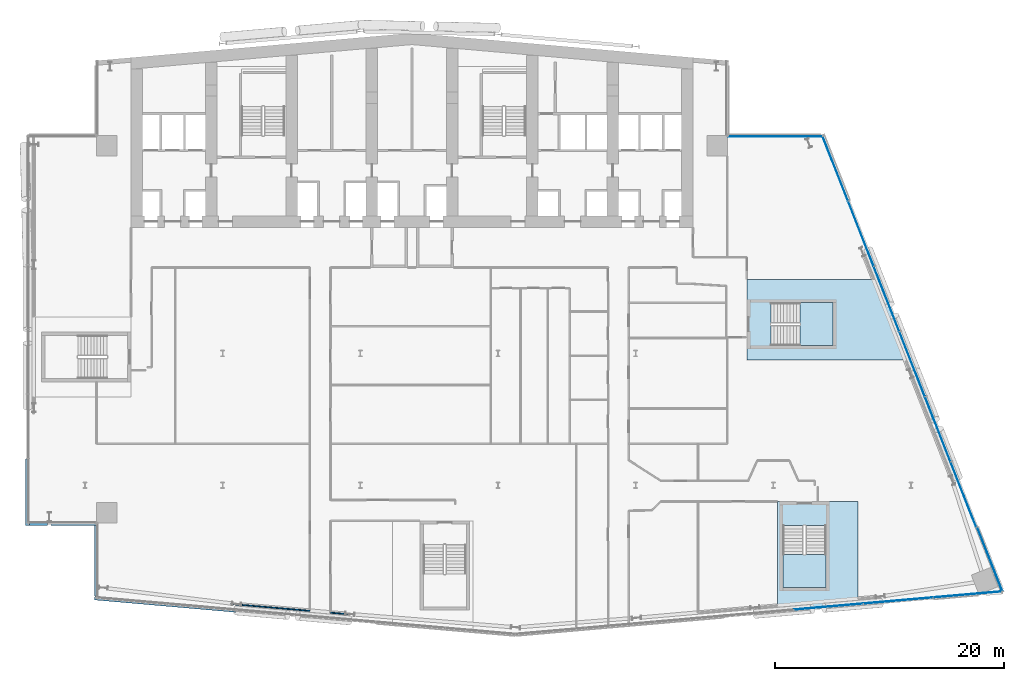
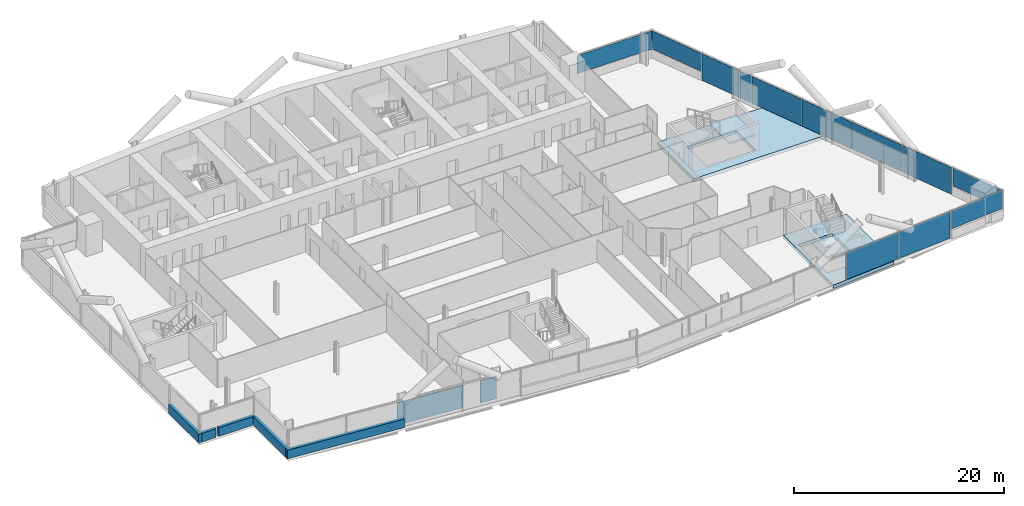
# One storey, part 13 of 26: 11 plates, 7 walls, 4 slabs, 5 elements without a shape of their own.
"""IFC4 building model written with IfcOpenShell, lengths in metres."""

import ifcopenshell
import ifcopenshell.guid

model = None  # the IFC model being written
_history = None  # IfcOwnerHistory: only IFC2X3 demands one
_inside = {}  # id of a spatial element -> (the spatial element, [elements in it])
_under = {}  # id of a project, library or spatial element -> (it, [spatial elements below it])
_declared = {}  # id of a project -> (the project, [libraries it declares])
_typed = {}  # id of a type object -> (the type object, [elements of that type])
_made_of = {}  # id of a material, layer set ... -> (it, [elements and type objects made of it])


def new_model(schema):
    """Start an empty IFC model of exactly this schema.

    Asked for "IFC4X3", IfcOpenShell would pick the latest addendum, in which some entities
    have other attributes; the version numbers below select the first issue.
    IFC2X3 requires an IfcOwnerHistory on every rooted entity: one is made here for all.
    """
    global model, _history
    if schema == "IFC4X3":
        model = ifcopenshell.file(schema_version=(4, 3, 0, 0))
    else:
        model = ifcopenshell.file(schema=schema)
    _inside.clear()
    _under.clear()
    _declared.clear()
    _typed.clear()
    _made_of.clear()
    _history = None
    if model.schema == "IFC2X3":
        org = make("IfcOrganization", Name="unknown")
        user = make(
            "IfcPersonAndOrganization",
            ThePerson=make("IfcPerson", FamilyName="unknown"),
            TheOrganization=org,
        )
        app = make(
            "IfcApplication",
            ApplicationDeveloper=org,
            Version="unknown",
            ApplicationFullName="unknown",
            ApplicationIdentifier="unknown",
        )
        _history = make(
            "IfcOwnerHistory",
            OwningUser=user,
            OwningApplication=app,
            ChangeAction="ADDED",
            CreationDate=0,
        )
    return model


def make(cls, **values):
    """One entity of the class cls with the attributes given. An attribute that is None is left unset."""
    return model.create_entity(
        cls, **{name: value for name, value in values.items() if value is not None}
    )


def rooted(cls, **values):
    """An entity with a GlobalId (a new one), such as an element, a storey or a relation."""
    return make(cls, GlobalId=ifcopenshell.guid.new(), OwnerHistory=_history, **values)


def si_unit(unit_type, name, prefix=None):
    """IfcSIUnit, for example si_unit("LENGTHUNIT", "METRE", prefix="MILLI")."""
    return make("IfcSIUnit", UnitType=unit_type, Prefix=prefix, Name=name)


def assignment(units):
    """IfcUnitAssignment: the units of a project."""
    return None if units is None else make("IfcUnitAssignment", Units=units)


def point(xyz):
    """IfcCartesianPoint."""
    return None if xyz is None else make("IfcCartesianPoint", Coordinates=xyz)


def direction(xyz):
    """IfcDirection."""
    return None if xyz is None else make("IfcDirection", DirectionRatios=xyz)


def frame(location, z_axis=None, x_axis=None):
    """IfcAxis2Placement3D, a coordinate frame: its origin and axes. An axis left out is left unset."""
    return make(
        "IfcAxis2Placement3D",
        Location=point(location),
        Axis=direction(z_axis),
        RefDirection=direction(x_axis),
    )


def frame_2d(location, x_axis=None):
    """IfcAxis2Placement2D, a coordinate frame in the plane: its origin and x axis."""
    return make(
        "IfcAxis2Placement2D", Location=point(location), RefDirection=direction(x_axis)
    )


def origin():
    """The frame at (0, 0, 0) with its axes left unset."""
    return frame((0.0, 0.0, 0.0))


def origin_2d():
    """The frame at (0, 0) in the plane with its x axis left unset."""
    return frame_2d((0.0, 0.0))


def place(relative_to, where):
    """IfcLocalPlacement: puts the frame where relative to a parent placement (None: the world)."""
    return make(
        "IfcLocalPlacement", PlacementRelTo=relative_to, RelativePlacement=where
    )


def context(
    kind, dimensions, precision=None, world=None, true_north=None, identifier=None
):
    """IfcGeometricRepresentationContext, for example the 3D "Model" context."""
    return make(
        "IfcGeometricRepresentationContext",
        ContextIdentifier=identifier,
        ContextType=kind,
        CoordinateSpaceDimension=dimensions,
        Precision=precision,
        WorldCoordinateSystem=world,
        TrueNorth=true_north,
    )


def subcontext(parent, identifier, kind, view, scale=None):
    """IfcGeometricRepresentationSubContext, for example "Body" below "Model"."""
    return make(
        "IfcGeometricRepresentationSubContext",
        ContextIdentifier=identifier,
        ContextType=kind,
        ParentContext=parent,
        TargetScale=scale,
        TargetView=view,
    )


def project(units=None, contexts=None):
    """IfcProject with its units and contexts."""
    return rooted(
        "IfcProject",
        Name="project",
        RepresentationContexts=contexts,
        UnitsInContext=assignment(units),
    )


def spatial(cls, under=None, at=None, **own):
    """A site, building, storey or space (cls), placed at a placement, below another one or the project."""
    s = rooted(cls, ObjectPlacement=at, **own)
    if under is not None:
        _under.setdefault(under.id(), (under, []))[1].append(s)
    return s


def polyline(points):
    """IfcPolyline through the points."""
    return make("IfcPolyline", Points=[point(p) for p in points])


def profile(cls, at=None, kind="AREA", **sizes):
    """A parametric profile (cls). Its sizes go by their IFC names, for example OverallWidth=200.0."""
    return make(cls, ProfileType=kind, Position=at, **sizes)


def rectangle(**sizes):
    """IfcRectangleProfileDef."""
    return profile("IfcRectangleProfileDef", **sizes)


def outline(outer, holes=None, kind="AREA"):
    """IfcArbitraryClosedProfileDef: a profile drawn as a closed curve; with holes, ...WithVoids."""
    if holes is None:
        return make("IfcArbitraryClosedProfileDef", ProfileType=kind, OuterCurve=outer)
    return make(
        "IfcArbitraryProfileDefWithVoids",
        ProfileType=kind,
        OuterCurve=outer,
        InnerCurves=holes,
    )


def extrude(swept, where, along, depth):
    """IfcExtrudedAreaSolid: the profile swept, set in the frame where, extruded along a direction by depth."""
    return make(
        "IfcExtrudedAreaSolid",
        SweptArea=swept,
        Position=where,
        ExtrudedDirection=direction(along),
        Depth=depth,
    )


def shape(context_of_items, identifier, shape_type, items):
    """IfcShapeRepresentation: the items that make up one representation, for example the "Body"."""
    return make(
        "IfcShapeRepresentation",
        ContextOfItems=context_of_items,
        RepresentationIdentifier=identifier,
        RepresentationType=shape_type,
        Items=items,
    )


def material(Name=None, Category=None):
    """IfcMaterial."""
    return make("IfcMaterial", Name=Name, Category=Category)


def layer(
    of_material, thickness, ventilated=None, Name=None, Category=None, Priority=None
):
    """IfcMaterialLayer: one layer of a wall or slab, of a material (None: an air gap)."""
    return make(
        "IfcMaterialLayer",
        Material=of_material,
        LayerThickness=thickness,
        IsVentilated=ventilated,
        Name=Name,
        Category=Category,
        Priority=Priority,
    )


def layer_set(layers, Name=None):
    """IfcMaterialLayerSet."""
    return make("IfcMaterialLayerSet", MaterialLayers=layers, LayerSetName=Name)


def made_of(thing, what):
    """Note that an element or type object is made of a material, layer set ...; save() writes the relation."""
    if what is not None:
        _made_of.setdefault(what.id(), (what, []))[1].append(thing)
    return thing


def type_object(cls, material=None, **own):
    """A type object (cls), such as IfcWallType, which elements share."""
    return made_of(rooted(cls, **own), material)


def element(
    cls,
    number,
    at=None,
    inside=None,
    cuts=None,
    type_object=None,
    material=None,
    context=None,
    identifier="Body",
    shape_type=None,
    held_by="IfcProductDefinitionShape",
    body=None,
    shapes=None,
    **own,
):
    """One element of the class cls, such as IfcWall. Its Tag is "e" and its number.

    at: its placement. inside: the storey or other place that contains it. cuts: it is an
    opening in that element (IfcRelVoidsElement). A single representation is given by context,
    identifier, shape_type and body (its items); several are given by shapes. held_by: the class
    of the entity that holds the representations. save() writes the other relations.
    """
    e = rooted(cls, Tag="e%d" % number, ObjectPlacement=at, **own)
    if body is not None:
        shapes = [shape(context, identifier, shape_type, body)]
    if shapes is not None:
        e.Representation = make(held_by, Representations=shapes)
    if inside is not None:
        _inside.setdefault(inside.id(), (inside, []))[1].append(e)
    if cuts is not None:
        rooted(
            "IfcRelVoidsElement", RelatingBuildingElement=cuts, RelatedOpeningElement=e
        )
    if type_object is not None:
        _typed.setdefault(type_object.id(), (type_object, []))[1].append(e)
    return made_of(e, material)


def aggregate(whole, parts):
    """IfcRelAggregates: a whole, such as a stair, and the parts it consists of."""
    return rooted("IfcRelAggregates", RelatingObject=whole, RelatedObjects=parts)


def save(model, path):
    """Write the relations noted so far, then the file.

    IfcRelAggregates (storeys below a building ...), IfcRelContainedInSpatialStructure (elements
    in a storey), IfcRelDefinesByType, IfcRelAssociatesMaterial and IfcRelDeclares: one each for
    every whole, place, type object, material and project.
    """
    for whole, parts in _under.values():
        aggregate(whole, parts)
    for where, things in _inside.values():
        rooted(
            "IfcRelContainedInSpatialStructure",
            RelatedElements=things,
            RelatingStructure=where,
        )
    for kind, things in _typed.values():
        rooted("IfcRelDefinesByType", RelatedObjects=things, RelatingType=kind)
    for what, things in _made_of.values():
        rooted("IfcRelAssociatesMaterial", RelatedObjects=things, RelatingMaterial=what)
    for by, libraries in _declared.values():
        rooted("IfcRelDeclares", RelatingContext=by, RelatedDefinitions=libraries)
    model.write(path)


model = new_model("IFC4")

# Units and contexts
model_context = context("Model", 3, precision=1e-05, world=origin(), true_north=direction((0.0, 1.0)))
body_context = subcontext(model_context, "Body", "Model", "MODEL_VIEW")
ifc_project = project(units=[si_unit("LENGTHUNIT", "METRE"), si_unit("AREAUNIT", "SQUARE_METRE"), si_unit("VOLUMEUNIT", "CUBIC_METRE"), si_unit("PLANEANGLEUNIT", "RADIAN"), si_unit("MASSUNIT", "GRAM", prefix="KILO")], contexts=[model_context])

# Site, building, storey
site_placement = place(None, origin())
site = spatial("IfcSite", under=ifc_project, at=site_placement, CompositionType="ELEMENT")
building_placement = place(site_placement, origin())
building = spatial("IfcBuilding", under=site, at=building_placement, Name="Wharfspan Tower", CompositionType="ELEMENT")
storey_placement = place(building_placement, frame((0.0, 0.0, 114.699951)))
storey = spatial("IfcBuildingStorey", under=building, at=storey_placement, Name="L26", CompositionType="ELEMENT", Elevation=114.699951)

# Curtain wall, plate
ifc_material_1 = material(Name="Aluminium 6063-T6", Category="aluminium")
curtain_wall_type_1 = type_object("IfcCurtainWallType", Name="CURTAIN WALL FACETED FRONT", PredefinedType="NOTDEFINED", material=ifc_material_1)
curtain_wall_1_placement = place(storey_placement, origin())
curtain_wall_1 = element("IfcCurtainWall", 1, at=curtain_wall_1_placement, inside=storey, type_object=curtain_wall_type_1, Name="Curtain wall S2", PredefinedType="NOTDEFINED")
ifc_material_2 = material(Name="Glass clear low-iron double glazing", Category="glass")
ifc_layer_1 = layer(ifc_material_2, 0.040039)
ifc_layer_set_1 = layer_set([ifc_layer_1], Name="Glass clear low-iron double glazing")
plate_type_1 = type_object("IfcPlateType", Name="GLASS PANEL FACETED FRONT 40", PredefinedType="CURTAIN_PANEL", material=ifc_layer_set_1)
plate_1_placement = place(storey_placement, frame((88.944092, 1.99292, 1.0), z_axis=(0.0, 0.0, 1.0), x_axis=(0.996198, 0.087156, 0.0)))
plate_1 = element("IfcPlate", 2, at=plate_1_placement, type_object=plate_type_1, Name="Curtain wall S2 panel 7", PredefinedType="CURTAIN_PANEL", context=body_context, shape_type="SweptSolid", body=[
    extrude(rectangle(XDim=6.004639, YDim=0.040039, at=origin_2d()), origin(), (0.0, 0.0, 1.0), 2.120117),
])

# Curtain wall, plates
curtain_wall_type_2 = type_object("IfcCurtainWallType", Name="CURTAIN WALL PROW AND END", PredefinedType="NOTDEFINED", material=ifc_material_1)
curtain_wall_2_placement = place(storey_placement, origin())
curtain_wall_2 = element("IfcCurtainWall", 3, at=curtain_wall_2_placement, inside=storey, type_object=curtain_wall_type_2, Name="Curtain wall E", PredefinedType="NOTDEFINED")
ifc_layer_2 = layer(ifc_material_2, 0.040039)
ifc_layer_set_2 = layer_set([ifc_layer_2], Name="Glass clear low-iron double glazing")
plate_type_2 = type_object("IfcPlateType", Name="GLASS PANEL PROW AND END 40", PredefinedType="CURTAIN_PANEL", material=ifc_layer_set_2)
plate_2_placement = place(storey_placement, frame((90.877197, 5.056885, 1.0), z_axis=(0.0, 0.0, 1.0), x_axis=(-0.365778, 0.930702, 0.0)))
plate_2 = element("IfcPlate", 4, at=plate_2_placement, type_object=plate_type_2, Name="Curtain wall E panel 1", PredefinedType="CURTAIN_PANEL", context=body_context, shape_type="SweptSolid", body=[
    extrude(rectangle(XDim=6.019043, YDim=0.040039, at=origin_2d()), origin(), (0.0, 0.0, 1.0), 2.120117),
])
plate_3_placement = place(storey_placement, frame((77.406494, 39.114014, 1.0), z_axis=(0.0, 0.0, 1.0), x_axis=(-0.365778, 0.930702, 0.0)))
plate_3 = element("IfcPlate", 5, at=plate_3_placement, type_object=plate_type_2, Name="Curtain wall E panel 7", PredefinedType="CURTAIN_PANEL", context=body_context, shape_type="SweptSolid", body=[
    extrude(rectangle(XDim=6.019043, YDim=0.040039, at=origin_2d()), origin(), (0.0, 0.0, 1.0), 2.120117),
])

# Curtain wall, plate
curtain_wall_3_placement = place(storey_placement, origin())
curtain_wall_3 = element("IfcCurtainWall", 6, at=curtain_wall_3_placement, inside=storey, type_object=curtain_wall_type_2, Name="Curtain wall NRE-H", PredefinedType="NOTDEFINED")
plate_4_placement = place(storey_placement, frame((72.178955, 41.919922, 1.0), z_axis=(0.0, 0.0, 1.0), x_axis=(-1.0, 0.0, 0.0)))
plate_4 = element("IfcPlate", 7, at=plate_4_placement, type_object=plate_type_2, Name="Curtain wall NRE-H panel 1", PredefinedType="CURTAIN_PANEL", context=body_context, shape_type="SweptSolid", body=[
    extrude(rectangle(XDim=8.238037, YDim=0.040039, at=origin_2d()), origin(), (0.0, 0.0, 1.0), 2.120117),
])
aggregate(curtain_wall_3, [plate_4])

# Plate
ifc_material_3 = material(Name="Aluminium composite opaque insulated panel", Category="aluminium")
ifc_layer_3 = layer(ifc_material_3, 0.040039)
ifc_layer_set_3 = layer_set([ifc_layer_3], Name="Aluminium composite opaque insulated panel")
plate_type_3 = type_object("IfcPlateType", Name="INFILL PANEL FACETED FRONT OPAQUE 40", PredefinedType="SHEET", material=ifc_layer_set_3)
plate_5_placement = place(storey_placement, frame((76.816162, 0.931885, 0.0), z_axis=(0.0, 0.0, 1.0), x_axis=(0.996198, 0.087156, 0.0)))
plate_5 = element("IfcPlate", 8, at=plate_5_placement, type_object=plate_type_3, Name="Curtain wall S2 panel 5", PredefinedType="SHEET", context=body_context, shape_type="SweptSolid", body=[
    extrude(rectangle(XDim=6.034668, YDim=0.040039, at=origin_2d()), origin(), (0.0, 0.0, 1.0), 3.120117),
])

plate_6_placement = place(storey_placement, frame((82.887695, 1.462891, 0.0), z_axis=(0.0, 0.0, 1.0), x_axis=(0.996198, 0.087156, 0.0)))
plate_6 = element("IfcPlate", 9, at=plate_6_placement, type_object=plate_type_3, Name="Curtain wall S2 panel 6", PredefinedType="SHEET", context=body_context, shape_type="SweptSolid", body=[
    extrude(rectangle(XDim=6.034668, YDim=0.040039, at=origin_2d()), origin(), (0.0, 0.0, 1.0), 3.120117),
])

aggregate(curtain_wall_1, [plate_5, plate_6, plate_1])

ifc_layer_4 = layer(ifc_material_3, 0.040039)
ifc_layer_set_4 = layer_set([ifc_layer_4], Name="Aluminium composite opaque insulated panel")
plate_type_4 = type_object("IfcPlateType", Name="INFILL PANEL PROW AND END OPAQUE 40", PredefinedType="SHEET", material=ifc_layer_set_4)
plate_7_placement = place(storey_placement, frame((88.57373, 10.699219, 0.0), z_axis=(0.0, 0.0, 1.0), x_axis=(-0.365778, 0.930702, 0.0)))
plate_7 = element("IfcPlate", 10, at=plate_7_placement, type_object=plate_type_4, Name="Curtain wall E panel 2", PredefinedType="SHEET", context=body_context, shape_type="SweptSolid", body=[
    extrude(rectangle(XDim=6.049072, YDim=0.040039, at=origin_2d()), origin(), (0.0, 0.0, 1.0), 3.120117),
])

plate_8_placement = place(storey_placement, frame((86.339111, 16.38501, 0.0), z_axis=(0.0, 0.0, 1.0), x_axis=(-0.365778, 0.930702, 0.0)))
plate_8 = element("IfcPlate", 11, at=plate_8_placement, type_object=plate_type_4, Name="Curtain wall E panel 3", PredefinedType="SHEET", context=body_context, shape_type="SweptSolid", body=[
    extrude(rectangle(XDim=6.049072, YDim=0.040039, at=origin_2d()), origin(), (0.0, 0.0, 1.0), 3.120117),
])

plate_9_placement = place(storey_placement, frame((84.104492, 22.070801, 0.0), z_axis=(0.0, 0.0, 1.0), x_axis=(-0.365778, 0.930702, 0.0)))
plate_9 = element("IfcPlate", 12, at=plate_9_placement, type_object=plate_type_4, Name="Curtain wall E panel 4", PredefinedType="SHEET", context=body_context, shape_type="SweptSolid", body=[
    extrude(rectangle(XDim=6.049072, YDim=0.040039, at=origin_2d()), origin(), (0.0, 0.0, 1.0), 3.120117),
])

plate_10_placement = place(storey_placement, frame((81.870117, 27.756348, 0.0), z_axis=(0.0, 0.0, 1.0), x_axis=(-0.365778, 0.930702, 0.0)))
plate_10 = element("IfcPlate", 13, at=plate_10_placement, type_object=plate_type_4, Name="Curtain wall E panel 5", PredefinedType="SHEET", context=body_context, shape_type="SweptSolid", body=[
    extrude(rectangle(XDim=6.049072, YDim=0.040039, at=origin_2d()), origin(), (0.0, 0.0, 1.0), 3.120117),
])

plate_11_placement = place(storey_placement, frame((79.635498, 33.442139, 0.0), z_axis=(0.0, 0.0, 1.0), x_axis=(-0.365778, 0.930702, 0.0)))
plate_11 = element("IfcPlate", 14, at=plate_11_placement, type_object=plate_type_4, Name="Curtain wall E panel 6", PredefinedType="SHEET", context=body_context, shape_type="SweptSolid", body=[
    extrude(rectangle(XDim=6.049072, YDim=0.040039, at=origin_2d()), origin(), (0.0, 0.0, 1.0), 3.120117),
])

aggregate(curtain_wall_2, [plate_2, plate_7, plate_8, plate_9, plate_10, plate_11, plate_3])

# Slabs
ifc_material_4 = material(Name="Concrete C40/50", Category="concrete")
ifc_layer_5 = layer(ifc_material_4, 0.399902)
ifc_layer_set_5 = layer_set([ifc_layer_5], Name="Concrete C40/50")
slab_type_1 = type_object("IfcSlabType", Name="Post-tensioned flat slab 400", PredefinedType="FLOOR", material=ifc_layer_set_5)
slab_1_placement = place(storey_placement, frame((0.0, 0.0, -0.400146)))
element("IfcSlab", 15, at=slab_1_placement, inside=storey, type_object=slab_type_1, Name="Core floor slab L26 part 5", PredefinedType="FLOOR", context=body_context, shape_type="SweptSolid", body=[
    extrude(outline(polyline([(79.365967, 10.094727), (76.891113, 10.094727), (72.541016, 10.094727), (72.365967, 10.094727), (72.365967, 0.482178), (79.365967, 1.094727), (79.365967, 10.094727)]), holes=[polyline([(76.591064, 7.996582), (76.591309, 7.996582), (76.591309, 7.996582), (76.591553, 7.996582), (76.591797, 7.996582), (76.591797, 7.996338), (76.592041, 7.996338), (76.592285, 7.996094), (76.592285, 7.996094), (76.592529, 7.99585), (76.592773, 7.99585), (76.592773, 7.995605), (76.593018, 7.995361), (76.593018, 7.995117), (76.593018, 7.995117), (76.593018, 7.994873), (76.593018, 7.994629), (76.593018, 2.594727), (76.593018, 2.594482), (76.593018, 2.594238), (76.593018, 2.593994), (76.593018, 2.593994), (76.592773, 2.59375), (76.592773, 2.593506), (76.592529, 2.593506), (76.592285, 2.593262), (76.592285, 2.593018), (76.592041, 2.593018), (76.591797, 2.593018), (76.591797, 2.592773), (76.591553, 2.592773), (76.591309, 2.592773), (76.591309, 2.592773), (76.591064, 2.592773), (72.841064, 2.592773), (72.84082, 2.592773), (72.840576, 2.592773), (72.840332, 2.592773), (72.840088, 2.592773), (72.840088, 2.593018), (72.839844, 2.593018), (72.8396, 2.593018), (72.8396, 2.593262), (72.8396, 2.593506), (72.839355, 2.593506), (72.839111, 2.59375), (72.839111, 2.593994), (72.839111, 2.593994), (72.839111, 2.594238), (72.839111, 2.594482), (72.839111, 2.594727), (72.839111, 7.994629), (72.839111, 7.994873), (72.839111, 7.995117), (72.839111, 7.995117), (72.839111, 7.995361), (72.839111, 7.995605), (72.839355, 7.99585), (72.8396, 7.99585), (72.8396, 7.996094), (72.8396, 7.996094), (72.839844, 7.996338), (72.840088, 7.996338), (72.840088, 7.996582), (72.840332, 7.996582), (72.840576, 7.996582), (72.84082, 7.996582), (72.841064, 7.996582), (76.591064, 7.996582)])]), origin(), (0.0, 0.0, 1.0), 0.400146),
])
slab_2_placement = place(storey_placement, frame((0.0, 0.0, -0.400146)))
element("IfcSlab", 16, at=slab_2_placement, inside=storey, type_object=slab_type_1, Name="Core floor slab L26 part 6", PredefinedType="FLOOR", context=body_context, shape_type="SweptSolid", body=[
    extrude(outline(polyline([(81.290283, 29.449951), (69.69043, 29.449951), (69.69043, 27.725098), (69.69043, 23.375), (69.69043, 22.449951), (84.041504, 22.449951), (81.290283, 29.449951)]), holes=[polyline([(71.790283, 23.673096), (71.790283, 23.673096), (71.790039, 23.673096), (71.789795, 23.673096), (71.789551, 23.673096), (71.789551, 23.673096), (71.789307, 23.67334), (71.789062, 23.673584), (71.789062, 23.673584), (71.788818, 23.673584), (71.788818, 23.673828), (71.788574, 23.674072), (71.788574, 23.674316), (71.788574, 23.674316), (71.78833, 23.674561), (71.78833, 23.674805), (71.78833, 23.675049), (71.78833, 27.425049), (71.78833, 27.425293), (71.78833, 27.425293), (71.788574, 27.425537), (71.788574, 27.425781), (71.788574, 27.425781), (71.788818, 27.426025), (71.788818, 27.42627), (71.789062, 27.426514), (71.789062, 27.426514), (71.789307, 27.426758), (71.789551, 27.426758), (71.789551, 27.426758), (71.789795, 27.427002), (71.790039, 27.427002), (71.790283, 27.427002), (71.790283, 27.427002), (77.19043, 27.427002), (77.190674, 27.427002), (77.190918, 27.427002), (77.190918, 27.427002), (77.191162, 27.426758), (77.191406, 27.426758), (77.191406, 27.426758), (77.19165, 27.426514), (77.191895, 27.426514), (77.191895, 27.42627), (77.192139, 27.426025), (77.192139, 27.425781), (77.192139, 27.425781), (77.192383, 27.425537), (77.192383, 27.425293), (77.192383, 27.425293), (77.192383, 27.425049), (77.192383, 23.675049), (77.192383, 23.674805), (77.192383, 23.674561), (77.192383, 23.674316), (77.192139, 23.674316), (77.192139, 23.674072), (77.192139, 23.673828), (77.191895, 23.673584), (77.191895, 23.673584), (77.19165, 23.673584), (77.191406, 23.67334), (77.191406, 23.673096), (77.191162, 23.673096), (77.190918, 23.673096), (77.190918, 23.673096), (77.190674, 23.673096), (77.19043, 23.673096), (71.790283, 23.673096)])]), origin(), (0.0, 0.0, 1.0), 0.400146),
])

# Stair, slab
stair_type = type_object("IfcStairType", Name="Half-turn stair 20 risers 180 mm", PredefinedType="HALF_TURN_STAIR", material=ifc_material_4)
stair_1_placement = place(storey_placement, origin())
stair_1 = element("IfcStair", 17, at=stair_1_placement, inside=storey, type_object=stair_type, Name="L26 stair ST5", PredefinedType="HALF_TURN_STAIR")
ifc_layer_6 = layer(ifc_material_4, 0.199951)
ifc_layer_set_6 = layer_set([ifc_layer_6], Name="Concrete C40/50")
slab_type_2 = type_object("IfcSlabType", Name="Stair landing 200", PredefinedType="LANDING", material=ifc_layer_set_6)
slab_3_placement = place(storey_placement, frame((0.0, 0.0, 1.599854)))
slab_3 = element("IfcSlab", 18, at=slab_3_placement, type_object=slab_type_2, Name="ST5 landing 1", PredefinedType="LANDING", context=body_context, shape_type="SweptSolid", body=[
    extrude(outline(polyline([(72.841064, 5.474609), (72.841064, 2.594727), (76.591064, 2.594727), (76.591064, 5.474609), (72.841064, 5.474609)])), origin(), (0.0, 0.0, 1.0), 0.200195),
])
aggregate(stair_1, [slab_3])

stair_2_placement = place(storey_placement, origin())
stair_2 = element("IfcStair", 19, at=stair_2_placement, inside=storey, type_object=stair_type, Name="L26 stair ST6", PredefinedType="HALF_TURN_STAIR")
slab_4_placement = place(storey_placement, frame((0.0, 0.0, 1.599854)))
slab_4 = element("IfcSlab", 20, at=slab_4_placement, type_object=slab_type_2, Name="ST6 landing 1", PredefinedType="LANDING", context=body_context, shape_type="SweptSolid", body=[
    extrude(outline(polyline([(74.310303, 23.675049), (77.19043, 23.675049), (77.19043, 27.425049), (74.310303, 27.425049), (74.310303, 23.675049)])), origin(), (0.0, 0.0, 1.0), 0.200195),
])
aggregate(stair_2, [slab_4])

# Walls
ifc_material_5 = material(Name="Gypsum board on steel studs", Category="steel")
ifc_layer_7 = layer(ifc_material_5, 0.100098)
ifc_layer_set_7 = layer_set([ifc_layer_7], Name="Gypsum board on steel studs")
wall_type_1 = type_object("IfcWallType", Name="Compartment wall 100 EI 60", PredefinedType="PARTITIONING", material=ifc_layer_set_7)
wall_1_placement = place(storey_placement, frame((31.600098, 0.560059, 0.0), z_axis=(0.0, 0.0, 1.0), x_axis=(-0.996229, 0.086796, 0.0)))
element("IfcWall", 21, at=wall_1_placement, inside=storey, type_object=wall_type_1, Name="Partition L26.w012", PredefinedType="PARTITIONING", context=body_context, shape_type="SweptSolid", body=[
    extrude(rectangle(XDim=6.911133, YDim=0.100098, at=frame_2d((3.455566, 0.0))), origin(), (0.0, 0.0, 1.0), 2.580078),
])
wall_2_placement = place(storey_placement, frame((35.084961, 0.254883, 0.0), z_axis=(0.0, 0.0, 1.0), x_axis=(-0.996316, 0.085745, 0.0)))
element("IfcWall", 22, at=wall_2_placement, inside=storey, type_object=wall_type_1, Name="Partition L26.w021", PredefinedType="PARTITIONING", context=body_context, shape_type="SweptSolid", body=[
    extrude(rectangle(XDim=1.691406, YDim=0.100098, at=frame_2d((0.845703, 0.0))), origin(), (0.0, 0.0, 1.0), 2.580078),
])
ifc_layer_8 = layer(ifc_material_4, 0.350098)
ifc_layer_set_8 = layer_set([ifc_layer_8], Name="Concrete C40/50")
wall_type_2 = type_object("IfcWallType", Name="SPANDREL EXPOSED CONCRETE 350", PredefinedType="SOLIDWALL", material=ifc_layer_set_8)
wall_3_placement = place(storey_placement, frame((12.835205, 1.68457, 0.0), z_axis=(0.0, 0.0, 1.0), x_axis=(0.996192, -0.087173, 0.0)))
element("IfcWall", 23, at=wall_3_placement, inside=storey, type_object=wall_type_2, Name="Spandrel upstand L26 S1 1", PredefinedType="SOLIDWALL", context=body_context, shape_type="SweptSolid", body=[
    extrude(rectangle(XDim=12.348145, YDim=0.350098, at=frame_2d((6.174072, 0.0))), origin(), (0.0, 0.0, 1.0), 1.0),
])
wall_4_placement = place(storey_placement, frame((6.995117, 13.803223, 0.0), z_axis=(0.0, 0.0, 1.0), x_axis=(0.0, -1.0, 0.0)))
element("IfcWall", 24, at=wall_4_placement, inside=storey, type_object=wall_type_2, Name="Spandrel upstand L26 W", PredefinedType="SOLIDWALL", context=body_context, shape_type="SweptSolid", body=[
    extrude(rectangle(XDim=5.783203, YDim=0.350098, at=frame_2d((2.891602, 0.0))), origin(), (0.0, 0.0, 1.0), 1.0),
])
wall_5_placement = place(storey_placement, frame((7.169922, 8.195068, 0.0), z_axis=(0.0, 0.0, 1.0), x_axis=(1.0, 0.0, 0.0)))
element("IfcWall", 25, at=wall_5_placement, inside=storey, type_object=wall_type_2, Name="Spandrel upstand L26 NFW-H", PredefinedType="SOLIDWALL", context=body_context, shape_type="SweptSolid", body=[
    extrude(rectangle(XDim=1.563232, YDim=0.350098, at=frame_2d((0.781738, 0.0))), origin(), (0.0, 0.0, 1.0), 1.0),
])
wall_6_placement = place(storey_placement, frame((9.036133, 8.195068, 0.0), z_axis=(0.0, 0.0, 1.0), x_axis=(1.0, 0.0, 0.0)))
element("IfcWall", 26, at=wall_6_placement, inside=storey, type_object=wall_type_2, Name="Spandrel upstand L26 NFW-H 2", PredefinedType="SOLIDWALL", context=body_context, shape_type="SweptSolid", body=[
    extrude(rectangle(XDim=3.963867, YDim=0.350098, at=frame_2d((1.981934, 0.0))), origin(), (0.0, 0.0, 1.0), 1.0),
])
wall_7_placement = place(storey_placement, frame((12.995117, 8.02002, 0.0), z_axis=(0.0, 0.0, 1.0), x_axis=(0.0, -1.0, 0.0)))
element("IfcWall", 27, at=wall_7_placement, inside=storey, type_object=wall_type_2, Name="Spandrel upstand L26 NFW-V", PredefinedType="SOLIDWALL", context=body_context, shape_type="SweptSolid", body=[
    extrude(rectangle(XDim=6.161133, YDim=0.350098, at=frame_2d((3.080566, 0.0))), origin(), (0.0, 0.0, 1.0), 1.0),
])

save(model, "model.ifc")
